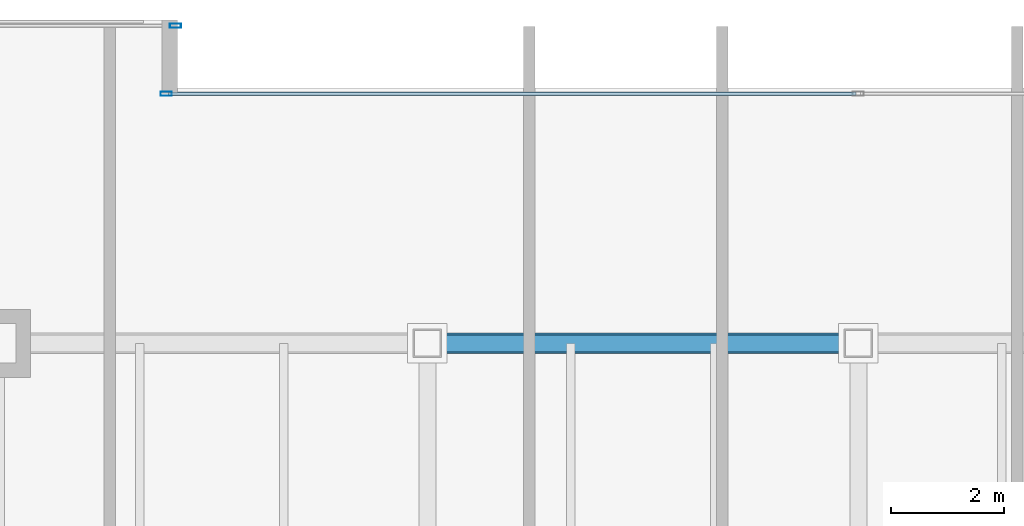
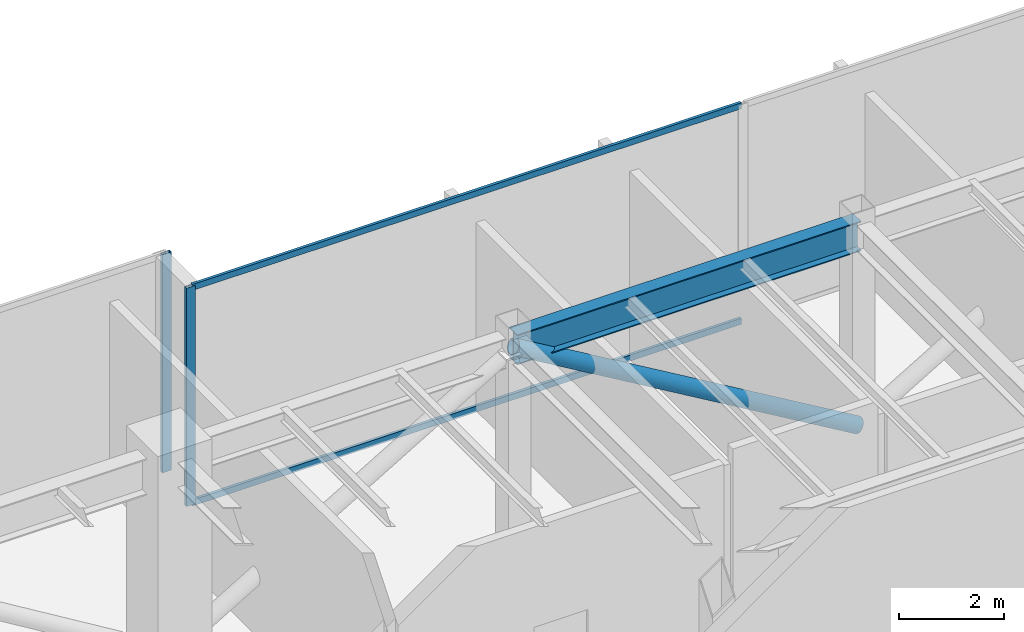
# One storey, part 16 of 34: 5 members, 1 beam, 2 elements without a shape of their own.
"""IFC4 building model written with IfcOpenShell, lengths in metres."""

from ifc_helpers import new_model, si_unit, direction, frame, origin, origin_2d, place, context, subcontext, project, spatial, hollow_rectangle, hollow_circle, i_section, extrude, source, transform, mapped, material, layer, layer_set, material_profile, profile_set, type_object, type_shapes, element, aggregate, save


model = new_model("IFC4")

# Units and contexts
model_context = context("Model", 3, precision=1e-05, world=origin(), true_north=direction((0.0, 1.0)))
body_context = subcontext(model_context, "Body", "Model", "MODEL_VIEW")
ifc_project = project(units=[si_unit("LENGTHUNIT", "METRE"), si_unit("AREAUNIT", "SQUARE_METRE"), si_unit("VOLUMEUNIT", "CUBIC_METRE"), si_unit("PLANEANGLEUNIT", "RADIAN"), si_unit("MASSUNIT", "GRAM", prefix="KILO")], contexts=[model_context])

# Site, building, storey
site_placement = place(None, origin())
site = spatial("IfcSite", under=ifc_project, at=site_placement, CompositionType="ELEMENT")
building_placement = place(site_placement, origin())
building = spatial("IfcBuilding", under=site, at=building_placement, Name="Haelvirn Gate Laboratories", CompositionType="ELEMENT")
storey_placement = place(building_placement, frame((0.0, 0.0, 191.199951171875)))
storey = spatial("IfcBuildingStorey", under=building, at=storey_placement, Name="L46", CompositionType="ELEMENT", Elevation=191.199951171875)

# Beam
ifc_material_1 = material(Name="Steel SM355", Category="steel")
ifc_material_profile_1 = material_profile(ifc_material_1, i_section(OverallWidth=0.300048828125, OverallDepth=0.699951171875, WebThickness=0.012939453125, FlangeThickness=0.02392578125, at=origin_2d()), Name="H-700x300x13x24")
ifc_profile_set_1 = profile_set([ifc_material_profile_1], Name="Steel SM355")
beam_type = type_object("IfcBeamType", Name="BM-G-700", PredefinedType="BEAM", material=ifc_profile_set_1)
shared_shape_1 = source(origin(), body_context, "Body", "SweptSolid", [
    extrude(i_section(OverallWidth=0.300048828125, OverallDepth=0.699951171875, WebThickness=0.012939453125, FlangeThickness=0.02392578125, at=origin_2d()), origin(), (0.0, 0.0, 1.0), 7.599853515625),
])
type_shapes(beam_type, [shared_shape_1])
beam_placement = place(storey_placement, frame((29.800048828125, 41.60009765625, 4.75), z_axis=(1.0, 0.0, 0.0), x_axis=(0.0, 1.0, 0.0)))
element("IfcBeam", 1, at=beam_placement, inside=storey, type_object=beam_type, Name="L46 Primary Girder Y41.6 (29.8-37.4)", PredefinedType="BEAM", context=body_context, shape_type="MappedRepresentation", body=[
    mapped(shared_shape_1, transform((0.0, 0.0, 0.0), scale=1.0)),
])

# Member
ifc_material_profile_2 = material_profile(ifc_material_1, hollow_circle(Radius=0.177734375, WallThickness=0.013916015625, at=origin_2d()), Name="CHS-355x14")
ifc_profile_set_2 = profile_set([ifc_material_profile_2], Name="Steel SM355")
member_type_1 = type_object("IfcMemberType", Name="MEM-BELT-1", PredefinedType="STRUT", material=ifc_profile_set_2)
shared_shape_2 = source(origin(), body_context, "Body", "SweptSolid", [
    extrude(hollow_circle(Radius=0.177734375, WallThickness=0.013916015625, at=origin_2d()), origin(), (0.0, 0.0, 1.0), 8.832275390625),
])
type_shapes(member_type_1, [shared_shape_2])
member_1_placement = place(storey_placement, frame((29.800048828125, 41.60009765625, 4.75), z_axis=(0.860471083771, 0.0, -0.509499277717), x_axis=(0.0, 1.0, 0.0)))
element("IfcMember", 2, at=member_1_placement, inside=storey, type_object=member_type_1, Name="L46 Perimeter Belt Truss N4", PredefinedType="STRUT", context=body_context, shape_type="MappedRepresentation", body=[
    mapped(shared_shape_2, transform((0.0, 0.0, 0.0), scale=1.0)),
])

# Curtain wall, members
ifc_material_2 = material(Name="Anodised bronze unitised aluminium & triple low-E glass", Category="aluminium")
ifc_layer = layer(ifc_material_2, 0.179931640625, Name="CW-SYS-3")
ifc_layer_set = layer_set([ifc_layer], Name="Anodised bronze unitised aluminium & triple low-E glass")
curtain_wall_type = type_object("IfcCurtainWallType", Name="CW-SYS-3", PredefinedType="NOTDEFINED", material=ifc_layer_set)
curtain_wall_1_placement = place(storey_placement, origin())
curtain_wall_1 = element("IfcCurtainWall", 3, at=curtain_wall_1_placement, inside=storey, type_object=curtain_wall_type, Name="L46 Unitised Curtain Wall CW-L46-P0-E12-1", PredefinedType="NOTDEFINED")
ifc_material_3 = material(Name="Extruded aluminium 6063-T6 (anodised bronze)", Category="aluminium")
ifc_material_profile_3 = material_profile(ifc_material_3, hollow_rectangle(XDim=0.06494140625, YDim=0.139892578125, WallThickness=0.00390625, at=origin_2d()), Name="CWT-140x65x4")
ifc_profile_set_3 = profile_set([ifc_material_profile_3], Name="Extruded aluminium 6063-T6 (anodised bronze)")
member_type_2 = type_object("IfcMemberType", Name="CWT-T140", PredefinedType="USERDEFINED", material=ifc_profile_set_3)
shared_shape_3 = source(origin(), body_context, "Body", "SweptSolid", [
    extrude(hollow_rectangle(XDim=0.06494140625, YDim=0.139892578125, WallThickness=0.00390625, at=origin_2d()), origin(), (0.0, 0.0, 1.0), 12.12744140625),
])
type_shapes(member_type_2, [shared_shape_3])
member_2_placement = place(storey_placement, frame((25.235107421875, 46.0, 0.032470703125), z_axis=(1.0, 0.0, 0.0), x_axis=(0.0, 1.0, 0.0)))
member_2 = element("IfcMember", 4, at=member_2_placement, type_object=member_type_2, Name="CW3 transom 1.1", ObjectType="TRANSOM", PredefinedType="USERDEFINED", context=body_context, shape_type="MappedRepresentation", body=[
    mapped(shared_shape_3, transform((0.0, 0.0, 0.0), scale=1.0)),
])
member_3_placement = place(storey_placement, frame((25.235107421875, 46.0, 5.067626953125), z_axis=(1.0, 0.0, 0.0), x_axis=(0.0, 1.0, 0.0)))
member_3 = element("IfcMember", 5, at=member_3_placement, type_object=member_type_2, Name="CW3 transom 1.2", ObjectType="TRANSOM", PredefinedType="USERDEFINED", context=body_context, shape_type="MappedRepresentation", body=[
    mapped(shared_shape_3, transform((0.0, 0.0, 0.0), scale=1.0)),
])
ifc_material_profile_4 = material_profile(ifc_material_3, hollow_rectangle(XDim=0.074951171875, YDim=0.199951171875, WallThickness=0.0048828125, at=origin_2d()), Name="CWM-200x75x5")
ifc_profile_set_4 = profile_set([ifc_material_profile_4], Name="Extruded aluminium 6063-T6 (anodised bronze)")
member_type_3 = type_object("IfcMemberType", Name="CWM-T200", PredefinedType="MULLION", material=ifc_profile_set_4)
shared_shape_4 = source(origin(), body_context, "Body", "SweptSolid", [
    extrude(hollow_rectangle(XDim=0.074951171875, YDim=0.199951171875, WallThickness=0.0048828125, at=origin_2d()), origin(), (0.0, 0.0, 1.0), 5.10009765625),
])
type_shapes(member_type_3, [shared_shape_4])
member_4_placement = place(storey_placement, frame((25.197509765625, 46.0, 0.0), z_axis=(0.0, 0.0, 1.0), x_axis=(0.0, 1.0, 0.0)))
member_4 = element("IfcMember", 6, at=member_4_placement, type_object=member_type_3, Name="CW3 mullion 1", PredefinedType="MULLION", context=body_context, shape_type="MappedRepresentation", body=[
    mapped(shared_shape_4, transform((0.0, 0.0, 0.0), scale=1.0)),
])
aggregate(curtain_wall_1, [member_4, member_2, member_3])

# Curtain wall, member
curtain_wall_2_placement = place(storey_placement, origin())
curtain_wall_2 = element("IfcCurtainWall", 7, at=curtain_wall_2_placement, inside=storey, type_object=curtain_wall_type, Name="L46 Unitised Curtain Wall CW-L46-P0-E14-1", PredefinedType="NOTDEFINED")
member_5_placement = place(storey_placement, frame((25.362548828125, 47.199951171875, 0.0), z_axis=(0.0, 0.0, 1.0), x_axis=(0.0, 1.0, 0.0)))
member_5 = element("IfcMember", 8, at=member_5_placement, type_object=member_type_3, Name="CW3 mullion 3", PredefinedType="MULLION", context=body_context, shape_type="MappedRepresentation", body=[
    mapped(shared_shape_4, transform((0.0, 0.0, 0.0), scale=1.0)),
])
aggregate(curtain_wall_2, [member_5])

save(model, "model.ifc")
